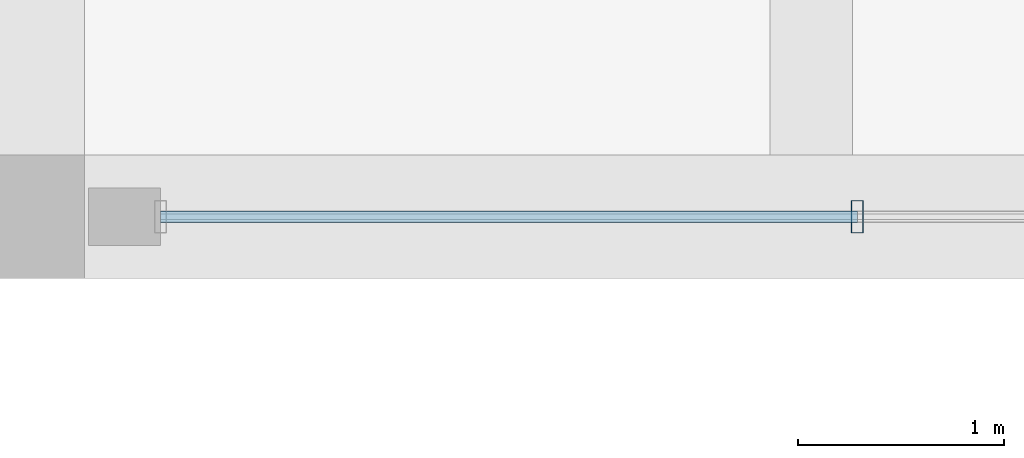
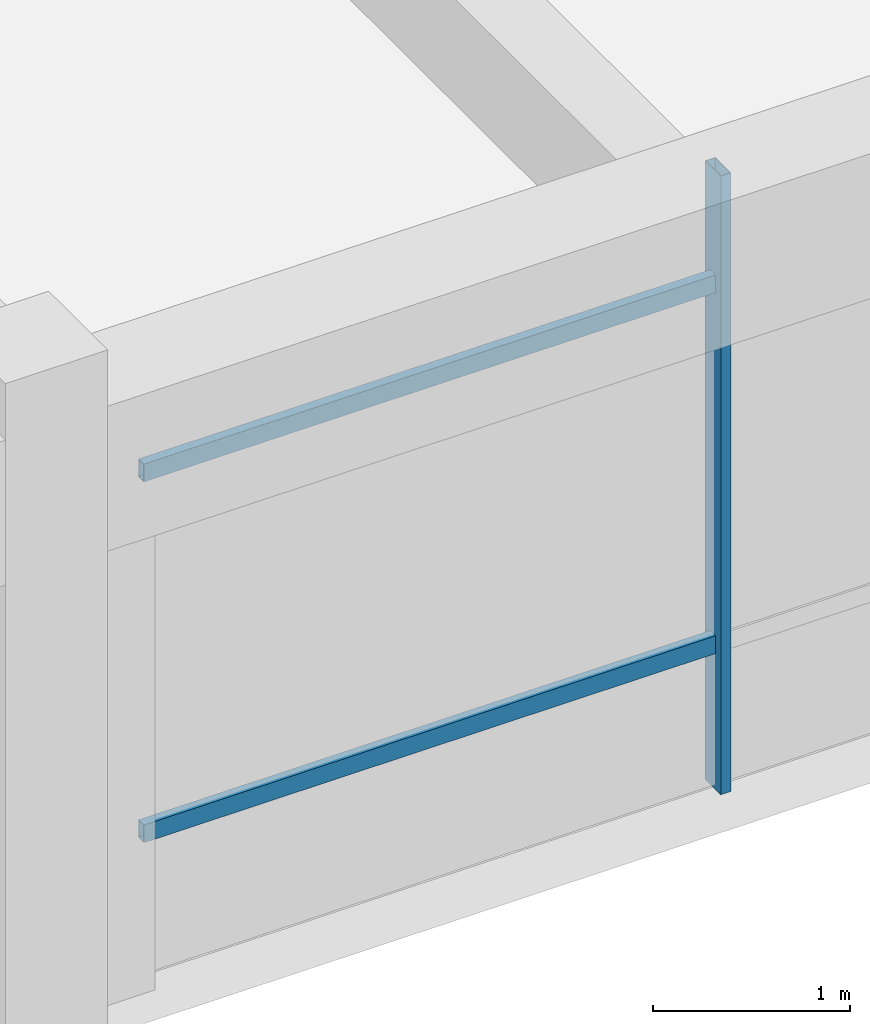
# One storey, part 45 of 98: 3 members, 1 element without a shape of its own.
"""IFC4 building model written with IfcOpenShell, lengths in metres."""

from ifc_helpers import new_model, si_unit, direction, frame, origin, origin_2d, place, context, subcontext, project, spatial, hollow_rectangle, extrude, material, material_profile, profile_set, type_object, element, aggregate, save


model = new_model("IFC4")

# Units and contexts
model_context = context("Model", 3, precision=1e-05, world=origin(), true_north=direction((0.0, 1.0)))
body_context = subcontext(model_context, "Body", "Model", "MODEL_VIEW")
ifc_project = project(units=[si_unit("LENGTHUNIT", "METRE"), si_unit("AREAUNIT", "SQUARE_METRE"), si_unit("VOLUMEUNIT", "CUBIC_METRE"), si_unit("PLANEANGLEUNIT", "RADIAN"), si_unit("MASSUNIT", "GRAM", prefix="KILO")], contexts=[model_context])

# Site, building, storey
site_placement = place(None, origin())
site = spatial("IfcSite", under=ifc_project, at=site_placement, CompositionType="ELEMENT")
building_placement = place(site_placement, origin())
building = spatial("IfcBuilding", under=site, at=building_placement, Name="Ologun Quay Terminus", CompositionType="ELEMENT")
storey_placement = place(building_placement, frame((0.0, 0.0, 4.199951171875)))
storey = spatial("IfcBuildingStorey", under=building, at=storey_placement, Name="L01", CompositionType="ELEMENT", Elevation=4.199951171875)

# Curtain wall, members
ifc_material_1 = material(Name="Aluminium 6063-T6", Category="aluminium")
curtain_wall_type = type_object("IfcCurtainWallType", Name="Forecourt Mezzanine Curtain Wall 10700x3850", PredefinedType="USERDEFINED", material=ifc_material_1)
curtain_wall_placement = place(storey_placement, origin())
curtain_wall = element("IfcCurtainWall", 1, at=curtain_wall_placement, inside=storey, type_object=curtain_wall_type, Name="CW-04 Curtain Wall CW-L01-017", ObjectType="UNITISED CURTAIN WALL", PredefinedType="USERDEFINED")
ifc_material_2 = material(Name="Aluminium 6063-T6", Category="aluminium")
ifc_material_profile_1 = material_profile(ifc_material_2, hollow_rectangle(XDim=0.06005859375, YDim=0.159912109375, WallThickness=0.00390625, at=origin_2d()), Name="ALU 160x60x4")
ifc_profile_set_1 = profile_set([ifc_material_profile_1], Name="Aluminium 6063-T6")
member_type_1 = type_object("IfcMemberType", Name="Curtain Wall Standard Mullion 160x65", PredefinedType="MULLION", material=ifc_profile_set_1)
member_1_placement = place(storey_placement, frame((142.056640625, 27.199951171875, 0.0), z_axis=(0.0, 0.0, 1.0), x_axis=(1.0, 0.0, 0.0)))
member_1 = element("IfcMember", 2, at=member_1_placement, type_object=member_type_1, Name="CW-L01-017 Mullion 2", PredefinedType="MULLION", context=body_context, shape_type="SweptSolid", body=[
    extrude(hollow_rectangle(XDim=0.06005859375, YDim=0.159912109375, WallThickness=0.00390625, at=origin_2d()), origin(), (0.0, 0.0, 1.0), 3.840087890625),
])
ifc_material_3 = material(Name="Aluminium 6063-T6", Category="aluminium")
ifc_material_profile_2 = material_profile(ifc_material_3, hollow_rectangle(XDim=0.054931640625, YDim=0.110107421875, WallThickness=0.00390625, at=origin_2d()), Name="ALU 110x55x4")
ifc_profile_set_2 = profile_set([ifc_material_profile_2], Name="Aluminium 6063-T6")
member_type_2 = type_object("IfcMemberType", Name="Curtain Wall Standard Transom 110x55", PredefinedType="USERDEFINED", material=ifc_profile_set_2)
member_2_placement = place(storey_placement, frame((138.669921875, 27.199951171875, 0.900146484375), z_axis=(1.0, 0.0, 0.0), x_axis=(0.0, 1.0, 0.0)))
member_2 = element("IfcMember", 3, at=member_2_placement, type_object=member_type_2, Name="CW-L01-017 Transom B1-1", ObjectType="TRANSOM", PredefinedType="USERDEFINED", context=body_context, shape_type="SweptSolid", body=[
    extrude(hollow_rectangle(XDim=0.054931640625, YDim=0.110107421875, WallThickness=0.00390625, at=origin_2d()), origin(), (0.0, 0.0, 1.0), 3.38671875),
])
member_3_placement = place(storey_placement, frame((138.669921875, 27.199951171875, 3.14013671875), z_axis=(1.0, 0.0, 0.0), x_axis=(0.0, 1.0, 0.0)))
member_3 = element("IfcMember", 4, at=member_3_placement, type_object=member_type_2, Name="CW-L01-017 Transom B1-2", ObjectType="TRANSOM", PredefinedType="USERDEFINED", context=body_context, shape_type="SweptSolid", body=[
    extrude(hollow_rectangle(XDim=0.054931640625, YDim=0.110107421875, WallThickness=0.00390625, at=origin_2d()), origin(), (0.0, 0.0, 1.0), 3.38671875),
])
aggregate(curtain_wall, [member_1, member_2, member_3])

save(model, "model.ifc")
